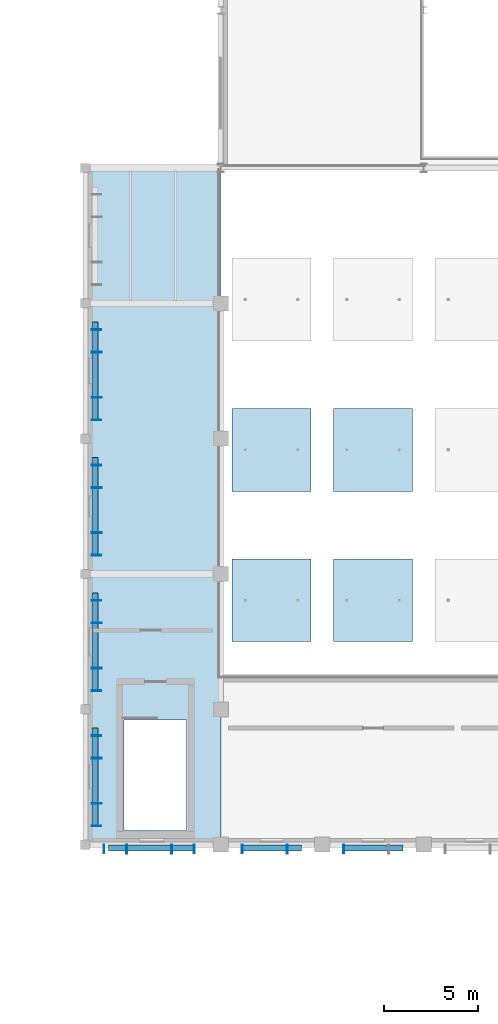
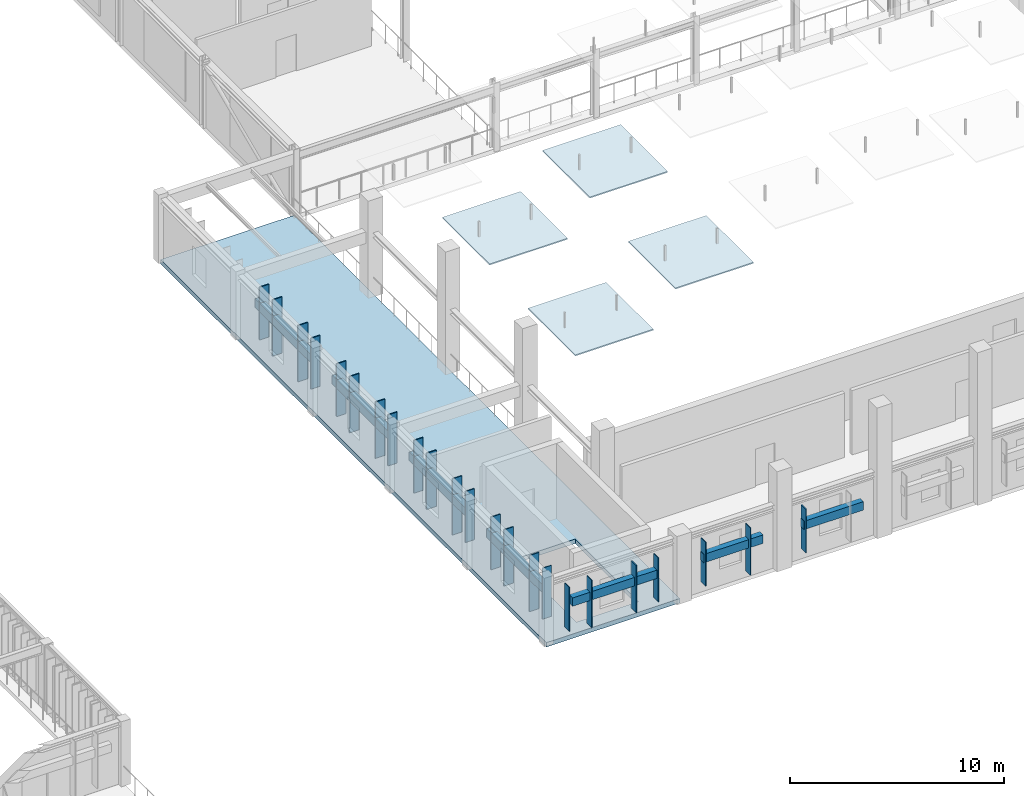
# One storey, part 9 of 44: 34 plates, 1 slab.
"""IFC4 building model written with IfcOpenShell, lengths in metres."""

from ifc_helpers import new_model, si_unit, direction, frame, origin, origin_2d, place, context, subcontext, project, spatial, polyline, rectangle, outline, extrude, material, layer, layer_set, type_object, element, save


model = new_model("IFC4")

# Units and contexts
model_context = context("Model", 3, precision=1e-05, world=origin(), true_north=direction((0.0, 1.0)))
body_context = subcontext(model_context, "Body", "Model", "MODEL_VIEW")
ifc_project = project(units=[si_unit("LENGTHUNIT", "METRE"), si_unit("AREAUNIT", "SQUARE_METRE"), si_unit("VOLUMEUNIT", "CUBIC_METRE"), si_unit("PLANEANGLEUNIT", "RADIAN"), si_unit("MASSUNIT", "GRAM", prefix="KILO")], contexts=[model_context])

# Site, building, storey
site_placement = place(None, origin())
site = spatial("IfcSite", under=ifc_project, at=site_placement, CompositionType="ELEMENT")
building_placement = place(site_placement, origin())
building = spatial("IfcBuilding", under=site, at=building_placement, Name="Tazoul Stagehouse", CompositionType="ELEMENT")
storey_placement = place(building_placement, frame((0.0, 0.0, 13.199951171875)))
storey = spatial("IfcBuildingStorey", under=building, at=storey_placement, Name="L03", CompositionType="ELEMENT", Elevation=13.199951171875)

# Plates
ifc_material_1 = material(Name="Acoustic Cedar Timber", Category="wood")
ifc_layer_1 = layer(ifc_material_1, 0.06494140625, Name="Acoustic Cedar Timber")
ifc_layer_set_1 = layer_set([ifc_layer_1], Name="Acoustic Cedar Timber")
plate_type_1 = type_object("IfcPlateType", Name="Curved Cedar Acoustic Reflector Cloud 65", PredefinedType="USERDEFINED", material=ifc_layer_set_1)
for number, where, z_axis, x_axis, name in (
    (1, (60.300048828125, 64.800048828125, 7.05029296875), (0.0, 0.0, 1.0), (1.0, 0.0, 0.0), "Auditorium Acoustic Reflector Cloud ACP-01 1.1"),
    (2, (60.300048828125, 72.800048828125, 7.378173828125), (0.0, 0.0, 1.0), (1.0, 0.0, 0.0), "Auditorium Acoustic Reflector Cloud ACP-01 1.2"),
    (3, (65.699951171875, 64.800048828125, 8.969970703125), (0.0, 0.0, 1.0), (1.0, 0.0, 0.0), "Auditorium Acoustic Reflector Cloud ACP-01 2.1"),
    (4, (65.699951171875, 72.800048828125, 9.298095703125), (0.0, 0.0, 1.0), (1.0, 0.0, 0.0), "Auditorium Acoustic Reflector Cloud ACP-01 2.2"),
):
    element("IfcPlate", number, at=place(storey_placement, frame(where, z_axis=z_axis, x_axis=x_axis)), inside=storey, type_object=plate_type_1, Name=name, ObjectType="ACOUSTIC PANEL", PredefinedType="USERDEFINED", context=body_context, shape_type="SweptSolid", body=[
        extrude(rectangle(XDim=4.199951171875, YDim=4.39990234375, at=origin_2d()), origin(), (0.0, 0.0, 1.0), 0.06494140625),
    ])
ifc_material_2 = material(Name="Anodised Bronze Aluminium 6063-T6", Category="aluminium")
ifc_layer_2 = layer(ifc_material_2, 0.449951171875, Name="Anodised Bronze Aluminium 6063-T6")
ifc_layer_set_2 = layer_set([ifc_layer_2], Name="Anodised Bronze Aluminium 6063-T6")
plate_type_2 = type_object("IfcPlateType", Name="Parametric Terracotta-Bronze Solar Fin 450x2500", PredefinedType="USERDEFINED", material=ifc_layer_set_2)
for number, where, z_axis, x_axis, name in (
    (5, (51.389892578125, 51.56494140625, 0.580078125), (0.0, 0.0, 1.0), (1.0, 0.0, 0.0), "L03 Parametric Solar Fin SFN-11 (WALL-V1-S-L03-S1-B1-01)"),
    (6, (56.18994140625, 51.56494140625, 0.580078125), (0.0, 0.0, 1.0), (1.0, 0.0, 0.0), "L03 Parametric Solar Fin SFN-11 (WALL-V1-S-L03-S1-B1-05)"),
    (7, (58.739990234375, 51.56494140625, 0.580078125), (0.0, 0.0, 1.0), (1.0, 0.0, 0.0), "L03 Parametric Solar Fin SFN-11 (WALL-V1-S-L03-S1-B2-01)"),
    (8, (64.139892578125, 51.56494140625, 0.580078125), (0.0, 0.0, 1.0), (1.0, 0.0, 0.0), "L03 Parametric Solar Fin SFN-11 (WALL-V1-S-L03-S1-B3-01)"),
):
    element("IfcPlate", number, at=place(storey_placement, frame(where, z_axis=z_axis, x_axis=x_axis)), inside=storey, type_object=plate_type_2, Name=name, ObjectType="SOLAR FIN", PredefinedType="USERDEFINED", context=body_context, shape_type="SweptSolid", body=[
        extrude(rectangle(XDim=0.044921875, YDim=0.449951171875, at=origin_2d()), origin(), (0.0, 0.0, 1.0), 2.5),
    ])
ifc_layer_3 = layer(ifc_material_2, 0.469970703125, Name="Anodised Bronze Aluminium 6063-T6")
ifc_layer_set_3 = layer_set([ifc_layer_3], Name="Anodised Bronze Aluminium 6063-T6")
plate_type_3 = type_object("IfcPlateType", Name="Parametric Terracotta-Bronze Solar Fin 470x2700", PredefinedType="USERDEFINED", material=ifc_layer_set_3)
for number, where, z_axis, x_axis, name in (
    (9, (52.590087890625, 51.554931640625, 0.3798828125), (0.0, 0.0, 1.0), (1.0, 0.0, 0.0), "L03 Parametric Solar Fin SFN-13 (WALL-V1-S-L03-S1-B1-02)"),
    (10, (54.989990234375, 51.554931640625, 0.3798828125), (0.0, 0.0, 1.0), (1.0, 0.0, 0.0), "L03 Parametric Solar Fin SFN-13 (WALL-V1-S-L03-S1-B1-04)"),
    (11, (61.139892578125, 51.554931640625, 0.3798828125), (0.0, 0.0, 1.0), (1.0, 0.0, 0.0), "L03 Parametric Solar Fin SFN-13 (WALL-V1-S-L03-S1-B2-03)"),
):
    element("IfcPlate", number, at=place(storey_placement, frame(where, z_axis=z_axis, x_axis=x_axis)), inside=storey, type_object=plate_type_3, Name=name, ObjectType="SOLAR FIN", PredefinedType="USERDEFINED", context=body_context, shape_type="SweptSolid", body=[
        extrude(rectangle(XDim=0.044921875, YDim=0.469970703125, at=origin_2d()), origin(), (0.0, 0.0, 1.0), 2.699951171875),
    ])
ifc_layer_4 = layer(ifc_material_2, 0.489990234375, Name="Anodised Bronze Aluminium 6063-T6")
ifc_layer_set_4 = layer_set([ifc_layer_4], Name="Anodised Bronze Aluminium 6063-T6")
plate_type_4 = type_object("IfcPlateType", Name="Parametric Terracotta-Bronze Solar Fin 490x2900", PredefinedType="USERDEFINED", material=ifc_layer_set_4)
for number, where, z_axis, x_axis, name in (
    (12, (50.9951171875, 52.7900390625, 0.630126953125), (0.0, 0.0, 1.0), (0.0, 1.0, 0.0), "L03 Parametric Solar Fin SFN-15 (WALL-V1-W-L03-S1-B1-01)"),
    (13, (50.9951171875, 59.989990234375, 0.630126953125), (0.0, 0.0, 1.0), (0.0, 1.0, 0.0), "L03 Parametric Solar Fin SFN-15 (WALL-V1-W-L03-S1-B2-01)"),
    (14, (50.9951171875, 67.18994140625, 0.630126953125), (0.0, 0.0, 1.0), (0.0, 1.0, 0.0), "L03 Parametric Solar Fin SFN-15 (WALL-V1-W-L03-S1-B3-01)"),
    (15, (50.9951171875, 74.389892578125, 0.630126953125), (0.0, 0.0, 1.0), (0.0, 1.0, 0.0), "L03 Parametric Solar Fin SFN-15 (WALL-V1-W-L03-S1-B4-01)"),
):
    element("IfcPlate", number, at=place(storey_placement, frame(where, z_axis=z_axis, x_axis=x_axis)), inside=storey, type_object=plate_type_4, Name=name, ObjectType="SOLAR FIN", PredefinedType="USERDEFINED", context=body_context, shape_type="SweptSolid", body=[
        extrude(rectangle(XDim=0.044921875, YDim=0.489990234375, at=origin_2d()), origin(), (0.0, 0.0, 1.0), 2.89990234375),
    ])
ifc_layer_5 = layer(ifc_material_2, 0.5, Name="Anodised Bronze Aluminium 6063-T6")
ifc_layer_set_5 = layer_set([ifc_layer_5], Name="Anodised Bronze Aluminium 6063-T6")
plate_type_5 = type_object("IfcPlateType", Name="Parametric Terracotta-Bronze Solar Fin 500x3000", PredefinedType="USERDEFINED", material=ifc_layer_set_5)
for number, where, z_axis, x_axis, name in (
    (16, (51.0, 57.590087890625, 0.530029296875), (0.0, 0.0, 1.0), (0.0, 1.0, 0.0), "L03 Parametric Solar Fin SFN-16 (WALL-V1-W-L03-S1-B1-05)"),
    (17, (51.0, 64.7900390625, 0.530029296875), (0.0, 0.0, 1.0), (0.0, 1.0, 0.0), "L03 Parametric Solar Fin SFN-16 (WALL-V1-W-L03-S1-B2-05)"),
    (18, (51.0, 71.989990234375, 0.530029296875), (0.0, 0.0, 1.0), (0.0, 1.0, 0.0), "L03 Parametric Solar Fin SFN-16 (WALL-V1-W-L03-S1-B3-05)"),
    (19, (51.0, 79.18994140625, 0.530029296875), (0.0, 0.0, 1.0), (0.0, 1.0, 0.0), "L03 Parametric Solar Fin SFN-16 (WALL-V1-W-L03-S1-B4-05)"),
):
    element("IfcPlate", number, at=place(storey_placement, frame(where, z_axis=z_axis, x_axis=x_axis)), inside=storey, type_object=plate_type_5, Name=name, ObjectType="SOLAR FIN", PredefinedType="USERDEFINED", context=body_context, shape_type="SweptSolid", body=[
        extrude(rectangle(XDim=0.044921875, YDim=0.5, at=origin_2d()), origin(), (0.0, 0.0, 1.0), 3.0),
    ])
ifc_layer_6 = layer(ifc_material_2, 0.52001953125, Name="Anodised Bronze Aluminium 6063-T6")
ifc_layer_set_6 = layer_set([ifc_layer_6], Name="Anodised Bronze Aluminium 6063-T6")
plate_type_6 = type_object("IfcPlateType", Name="Parametric Terracotta-Bronze Solar Fin 520x3200", PredefinedType="USERDEFINED", material=ifc_layer_set_6)
for number, where, z_axis, x_axis, name in (
    (20, (51.010009765625, 53.989990234375, 0.330078125), (0.0, 0.0, 1.0), (0.0, 1.0, 0.0), "L03 Parametric Solar Fin SFN-18 (WALL-V1-W-L03-S1-B1-02)"),
    (21, (51.010009765625, 56.389892578125, 0.330078125), (0.0, 0.0, 1.0), (0.0, 1.0, 0.0), "L03 Parametric Solar Fin SFN-18 (WALL-V1-W-L03-S1-B1-04)"),
    (22, (51.010009765625, 61.18994140625, 0.330078125), (0.0, 0.0, 1.0), (0.0, 1.0, 0.0), "L03 Parametric Solar Fin SFN-18 (WALL-V1-W-L03-S1-B2-02)"),
    (23, (51.010009765625, 63.590087890625, 0.330078125), (0.0, 0.0, 1.0), (0.0, 1.0, 0.0), "L03 Parametric Solar Fin SFN-18 (WALL-V1-W-L03-S1-B2-04)"),
    (24, (51.010009765625, 68.389892578125, 0.330078125), (0.0, 0.0, 1.0), (0.0, 1.0, 0.0), "L03 Parametric Solar Fin SFN-18 (WALL-V1-W-L03-S1-B3-02)"),
    (25, (51.010009765625, 70.7900390625, 0.330078125), (0.0, 0.0, 1.0), (0.0, 1.0, 0.0), "L03 Parametric Solar Fin SFN-18 (WALL-V1-W-L03-S1-B3-04)"),
    (26, (51.010009765625, 75.590087890625, 0.330078125), (0.0, 0.0, 1.0), (0.0, 1.0, 0.0), "L03 Parametric Solar Fin SFN-18 (WALL-V1-W-L03-S1-B4-02)"),
    (27, (51.010009765625, 77.989990234375, 0.330078125), (0.0, 0.0, 1.0), (0.0, 1.0, 0.0), "L03 Parametric Solar Fin SFN-18 (WALL-V1-W-L03-S1-B4-04)"),
):
    element("IfcPlate", number, at=place(storey_placement, frame(where, z_axis=z_axis, x_axis=x_axis)), inside=storey, type_object=plate_type_6, Name=name, ObjectType="SOLAR FIN", PredefinedType="USERDEFINED", context=body_context, shape_type="SweptSolid", body=[
        extrude(rectangle(XDim=0.044921875, YDim=0.52001953125, at=origin_2d()), origin(), (0.0, 0.0, 1.0), 3.199951171875),
    ])
ifc_layer_7 = layer(ifc_material_2, 0.320068359375, Name="Anodised Bronze Aluminium 6063-T6")
ifc_layer_set_7 = layer_set([ifc_layer_7], Name="Anodised Bronze Aluminium 6063-T6")
plate_type_7 = type_object("IfcPlateType", Name="Sculpted Facade Spandrel Ribbon 3200x480", PredefinedType="USERDEFINED", material=ifc_layer_set_7)
for number, where, z_axis, x_axis, name in (
    (28, (60.300048828125, 51.6298828125, 1.840087890625), (0.0, 0.0, 1.0), (1.0, 0.0, 0.0), "L03 Sculpted Facade Spandrel Ribbon FRB-04 (WALL-V1-S-L03-S1-B2)"),
    (29, (65.699951171875, 51.6298828125, 1.840087890625), (0.0, 0.0, 1.0), (1.0, 0.0, 0.0), "L03 Sculpted Facade Spandrel Ribbon FRB-04 (WALL-V1-S-L03-S1-B3)"),
):
    element("IfcPlate", number, at=place(storey_placement, frame(where, z_axis=z_axis, x_axis=x_axis)), inside=storey, type_object=plate_type_7, Name=name, ObjectType="FACADE RIBBON", PredefinedType="USERDEFINED", context=body_context, shape_type="SweptSolid", body=[
        extrude(rectangle(XDim=3.199951171875, YDim=0.320068359375, at=origin_2d()), origin(), (0.0, 0.0, 1.0), 0.47998046875),
    ])
ifc_layer_8 = layer(ifc_material_2, 0.320068359375, Name="Anodised Bronze Aluminium 6063-T6")
ifc_layer_set_8 = layer_set([ifc_layer_8], Name="Anodised Bronze Aluminium 6063-T6")
plate_type_8 = type_object("IfcPlateType", Name="Sculpted Facade Spandrel Ribbon 4600x480", PredefinedType="USERDEFINED", material=ifc_layer_set_8)
plate_placement = place(storey_placement, frame((53.925048828125, 51.6298828125, 1.840087890625), z_axis=(0.0, 0.0, 1.0), x_axis=(1.0, 0.0, 0.0)))
element("IfcPlate", 30, at=plate_placement, inside=storey, type_object=plate_type_8, Name="L03 Sculpted Facade Spandrel Ribbon FRB-06 (WALL-V1-S-L03-S1-B1)", ObjectType="FACADE RIBBON", PredefinedType="USERDEFINED", context=body_context, shape_type="SweptSolid", body=[
    extrude(rectangle(XDim=4.60009765625, YDim=0.320068359375, at=origin_2d()), origin(), (0.0, 0.0, 1.0), 0.47998046875),
])
ifc_layer_9 = layer(ifc_material_2, 0.320068359375, Name="Anodised Bronze Aluminium 6063-T6")
ifc_layer_set_9 = layer_set([ifc_layer_9], Name="Anodised Bronze Aluminium 6063-T6")
plate_type_9 = type_object("IfcPlateType", Name="Sculpted Facade Spandrel Ribbon 5200x480", PredefinedType="USERDEFINED", material=ifc_layer_set_9)
for number, where, z_axis, x_axis, name in (
    (31, (50.909912109375, 55.39990234375, 2.132568359375), (0.0, 0.0, 1.0), (0.0, 1.0, 0.0), "L03 Sculpted Facade Spandrel Ribbon FRB-07 (WALL-V1-W-L03-S1-B1)"),
    (32, (50.909912109375, 62.60009765625, 2.132568359375), (0.0, 0.0, 1.0), (0.0, 1.0, 0.0), "L03 Sculpted Facade Spandrel Ribbon FRB-07 (WALL-V1-W-L03-S1-B2)"),
    (33, (50.909912109375, 69.800048828125, 2.132568359375), (0.0, 0.0, 1.0), (0.0, 1.0, 0.0), "L03 Sculpted Facade Spandrel Ribbon FRB-07 (WALL-V1-W-L03-S1-B3)"),
    (34, (50.909912109375, 77.0, 2.132568359375), (0.0, 0.0, 1.0), (0.0, 1.0, 0.0), "L03 Sculpted Facade Spandrel Ribbon FRB-07 (WALL-V1-W-L03-S1-B4)"),
):
    element("IfcPlate", number, at=place(storey_placement, frame(where, z_axis=z_axis, x_axis=x_axis)), inside=storey, type_object=plate_type_9, Name=name, ObjectType="FACADE RIBBON", PredefinedType="USERDEFINED", context=body_context, shape_type="SweptSolid", body=[
        extrude(rectangle(XDim=5.199951171875, YDim=0.320068359375, at=origin_2d()), origin(), (0.0, 0.0, 1.0), 0.47998046875),
    ])

# Slab
ifc_material_3 = material(Name="Concrete C35/45", Category="concrete")
ifc_layer_10 = layer(ifc_material_3, 0.25, Name="Concrete C35/45")
ifc_layer_set_10 = layer_set([ifc_layer_10], Name="Concrete C35/45")
slab_type = type_object("IfcSlabType", Name="Upper Gallery Slab 250", PredefinedType="FLOOR", material=ifc_layer_set_10)
slab_placement = place(storey_placement, frame((0.0, 0.0, -0.25)))
element("IfcSlab", 35, at=slab_placement, inside=storey, type_object=slab_type, Name="L03 Upper Gallery Slab 250 (V1)", PredefinedType="FLOOR", context=body_context, shape_type="SweptSolid", body=[
    extrude(outline(polyline([(50.39990234375, 51.800048828125), (50.39990234375, 87.800048828125), (57.60009765625, 87.800048828125), (57.60009765625, 51.800048828125), (50.39990234375, 51.800048828125)]), holes=[polyline([(52.4599609375, 58.429931640625), (55.7900390625, 58.429931640625), (55.7900390625, 52.550048828125), (52.4599609375, 52.550048828125), (52.4599609375, 58.429931640625)])]), origin(), (0.0, 0.0, 1.0), 0.25),
])

save(model, "model.ifc")
